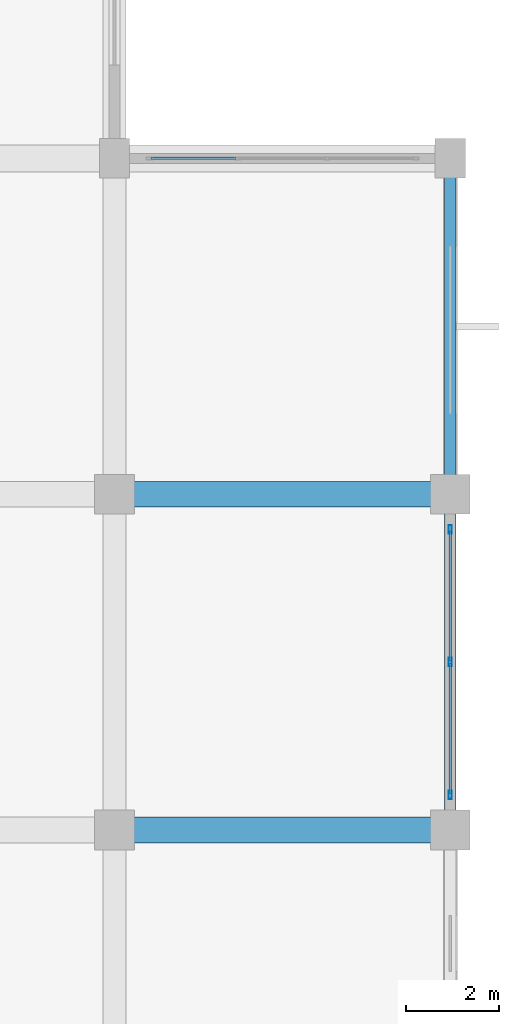
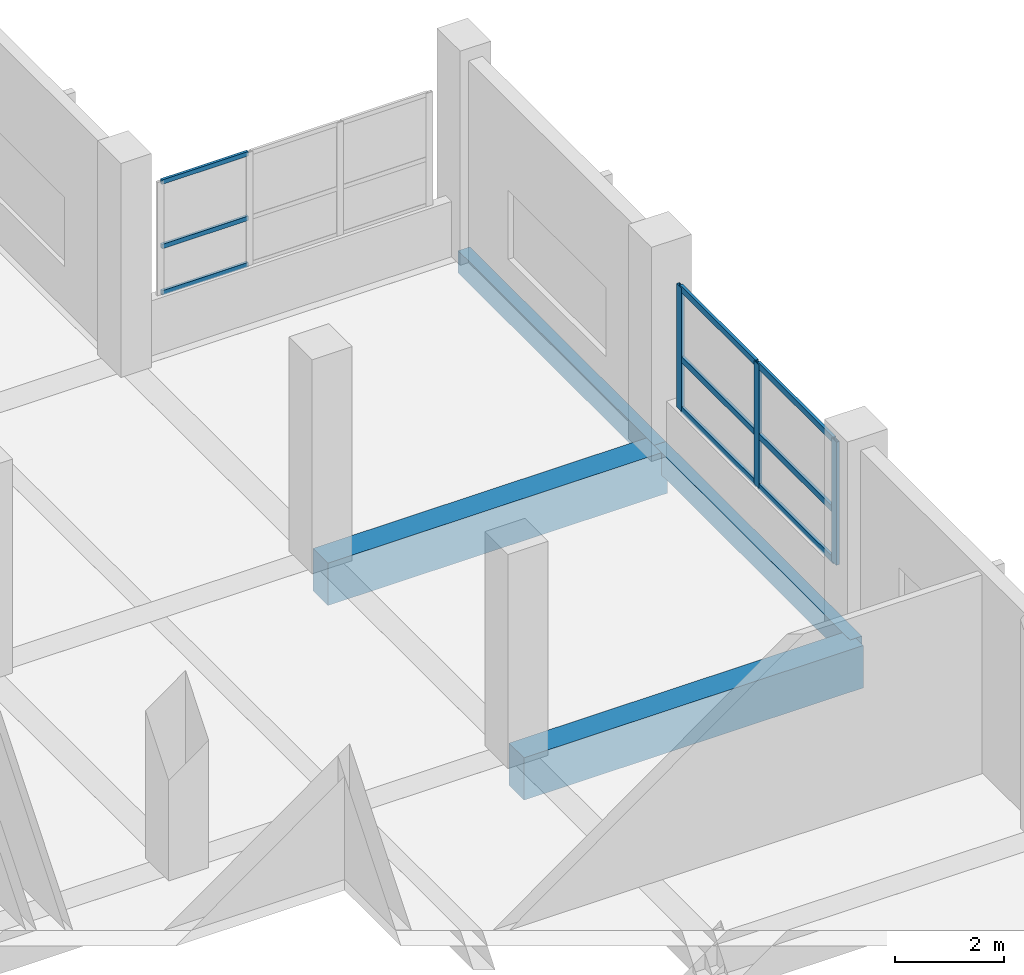
# One storey, part 136 of 181: 12 members, 4 beams, 2 elements without a shape of their own.
"""IFC4 building model written with IfcOpenShell, lengths in metres."""

from ifc_helpers import new_model, si_unit, direction, frame, origin, origin_2d, place, context, subcontext, project, spatial, rectangle, hollow_rectangle, extrude, material, layer, layer_set, material_profile, profile_set, type_object, element, aggregate, save


model = new_model("IFC4")

# Units and contexts
model_context = context("Model", 3, precision=1e-05, world=origin(), true_north=direction((0.0, 1.0)))
body_context = subcontext(model_context, "Body", "Model", "MODEL_VIEW")
ifc_project = project(units=[si_unit("LENGTHUNIT", "METRE"), si_unit("AREAUNIT", "SQUARE_METRE"), si_unit("VOLUMEUNIT", "CUBIC_METRE"), si_unit("PLANEANGLEUNIT", "RADIAN"), si_unit("MASSUNIT", "GRAM", prefix="KILO")], contexts=[model_context])

# Site, building, storey
site_placement = place(None, origin())
site = spatial("IfcSite", under=ifc_project, at=site_placement, CompositionType="ELEMENT")
building_placement = place(site_placement, origin())
building = spatial("IfcBuilding", under=site, at=building_placement, Name="Seraya Terrace Polytechnic", CompositionType="ELEMENT")
storey_placement = place(building_placement, frame((0.0, 0.0, 4.800048828125)))
storey = spatial("IfcBuildingStorey", under=building, at=storey_placement, Name="L01", CompositionType="ELEMENT", Elevation=4.800048828125)

# Beams
ifc_material_1 = material(Name="Concrete C40/50", Category="concrete")
ifc_material_profile_1 = material_profile(ifc_material_1, rectangle(XDim=0.550048828125, YDim=0.949951171875, at=origin_2d()), Name="RC 550x950")
ifc_profile_set_1 = profile_set([ifc_material_profile_1], Name="Concrete C40/50")
beam_type_1 = type_object("IfcBeamType", Name="BM-03", PredefinedType="BEAM", material=ifc_profile_set_1)
for number, where, z_axis, x_axis, name in (
    (1, (158.39990234375, 64.800048828125, -0.47509765625), (1.0, 0.0, 0.0), (0.0, 1.0, 0.0), "Beam BM-03 L01 X (158.4..165.6, 64.8)"),
    (2, (158.39990234375, 72.0, -0.47509765625), (1.0, 0.0, 0.0), (0.0, 1.0, 0.0), "Beam BM-03 L01 X (158.4..165.6, 72.0)"),
):
    element("IfcBeam", number, at=place(storey_placement, frame(where, z_axis=z_axis, x_axis=x_axis)), inside=storey, type_object=beam_type_1, Name=name, PredefinedType="BEAM", context=body_context, shape_type="SweptSolid", body=[
        extrude(rectangle(XDim=0.550048828125, YDim=0.949951171875, at=origin_2d()), origin(), (0.0, 0.0, 1.0), 7.2001953125),
    ])

# Curtain wall, members
ifc_material_2 = material(Name="Anodised aluminium EN AW-6063 T6", Category="aluminium")
ifc_layer_1 = layer(ifc_material_2, 0.179931640625, Name="CW-22")
ifc_layer_set_1 = layer_set([ifc_layer_1], Name="Anodised aluminium EN AW-6063 T6")
curtain_wall_type_1 = type_object("IfcCurtainWallType", Name="CW-22", PredefinedType="NOTDEFINED", material=ifc_layer_set_1)
curtain_wall_1_placement = place(storey_placement, origin())
curtain_wall_1 = element("IfcCurtainWall", 3, at=curtain_wall_1_placement, inside=storey, type_object=curtain_wall_type_1, Name="Unitised curtain wall CW-22 (CW-L01-022)", PredefinedType="NOTDEFINED")
ifc_material_profile_2 = material_profile(ifc_material_2, hollow_rectangle(XDim=0.06494140625, YDim=0.179931640625, WallThickness=0.00390625, at=origin_2d()), Name="RHS 180x65x4.0")
ifc_profile_set_2 = profile_set([ifc_material_profile_2], Name="Anodised aluminium EN AW-6063 T6")
member_type_1 = type_object("IfcMemberType", Name="CWM-01", PredefinedType="MULLION", material=ifc_profile_set_2)
member_1_placement = place(storey_placement, frame((165.60009765625, 71.24755859375, 1.239990234375), z_axis=(0.0, 0.0, 1.0), x_axis=(1.0, 0.0, 0.0)))
member_1 = element("IfcMember", 4, at=member_1_placement, type_object=member_type_1, Name="CW-22 mullion 1", PredefinedType="MULLION", context=body_context, shape_type="SweptSolid", body=[
    extrude(hollow_rectangle(XDim=0.06494140625, YDim=0.179931640625, WallThickness=0.00390625, at=origin_2d()), origin(), (0.0, 0.0, 1.0), 2.760009765625),
])
member_2_placement = place(storey_placement, frame((165.60009765625, 68.39990234375, 1.239990234375), z_axis=(0.0, 0.0, 1.0), x_axis=(1.0, 0.0, 0.0)))
member_2 = element("IfcMember", 5, at=member_2_placement, type_object=member_type_1, Name="CW-22 mullion 2", PredefinedType="MULLION", context=body_context, shape_type="SweptSolid", body=[
    extrude(hollow_rectangle(XDim=0.06494140625, YDim=0.179931640625, WallThickness=0.00390625, at=origin_2d()), origin(), (0.0, 0.0, 1.0), 2.760009765625),
])
member_3_placement = place(storey_placement, frame((165.60009765625, 65.552490234375, 1.239990234375), z_axis=(0.0, 0.0, 1.0), x_axis=(1.0, 0.0, 0.0)))
member_3 = element("IfcMember", 6, at=member_3_placement, type_object=member_type_1, Name="CW-22 mullion 3", PredefinedType="MULLION", context=body_context, shape_type="SweptSolid", body=[
    extrude(hollow_rectangle(XDim=0.06494140625, YDim=0.179931640625, WallThickness=0.00390625, at=origin_2d()), origin(), (0.0, 0.0, 1.0), 2.760009765625),
])
ifc_material_profile_3 = material_profile(ifc_material_2, hollow_rectangle(XDim=0.06005859375, YDim=0.139892578125, WallThickness=0.00341796875, at=origin_2d()), Name="RHS 140x60x3.5")
ifc_profile_set_3 = profile_set([ifc_material_profile_3], Name="Anodised aluminium EN AW-6063 T6")
member_type_2 = type_object("IfcMemberType", Name="CWT-01", PredefinedType="USERDEFINED", material=ifc_profile_set_3)
member_4_placement = place(storey_placement, frame((165.60009765625, 71.215087890625, 1.27001953125), z_axis=(0.0, -1.0, 0.0), x_axis=(1.0, 0.0, 0.0)))
member_4 = element("IfcMember", 7, at=member_4_placement, type_object=member_type_2, Name="CW-22 transom 1.1", ObjectType="TRANSOM", PredefinedType="USERDEFINED", context=body_context, shape_type="SweptSolid", body=[
    extrude(hollow_rectangle(XDim=0.06005859375, YDim=0.139892578125, WallThickness=0.00341796875, at=origin_2d()), origin(), (0.0, 0.0, 1.0), 2.782470703125),
])
member_5_placement = place(storey_placement, frame((165.60009765625, 71.215087890625, 2.399169921875), z_axis=(0.0, -1.0, 0.0), x_axis=(1.0, 0.0, 0.0)))
member_5 = element("IfcMember", 8, at=member_5_placement, type_object=member_type_2, Name="CW-22 transom 1.2", ObjectType="TRANSOM", PredefinedType="USERDEFINED", context=body_context, shape_type="SweptSolid", body=[
    extrude(hollow_rectangle(XDim=0.06005859375, YDim=0.139892578125, WallThickness=0.00341796875, at=origin_2d()), origin(), (0.0, 0.0, 1.0), 2.782470703125),
])
member_6_placement = place(storey_placement, frame((165.60009765625, 71.215087890625, 3.969970703125), z_axis=(0.0, -1.0, 0.0), x_axis=(1.0, 0.0, 0.0)))
member_6 = element("IfcMember", 9, at=member_6_placement, type_object=member_type_2, Name="CW-22 transom 1.3", ObjectType="TRANSOM", PredefinedType="USERDEFINED", context=body_context, shape_type="SweptSolid", body=[
    extrude(hollow_rectangle(XDim=0.06005859375, YDim=0.139892578125, WallThickness=0.00341796875, at=origin_2d()), origin(), (0.0, 0.0, 1.0), 2.782470703125),
])
member_7_placement = place(storey_placement, frame((165.60009765625, 68.367431640625, 1.27001953125), z_axis=(0.0, -1.0, 0.0), x_axis=(1.0, 0.0, 0.0)))
member_7 = element("IfcMember", 10, at=member_7_placement, type_object=member_type_2, Name="CW-22 transom 2.1", ObjectType="TRANSOM", PredefinedType="USERDEFINED", context=body_context, shape_type="SweptSolid", body=[
    extrude(hollow_rectangle(XDim=0.06005859375, YDim=0.139892578125, WallThickness=0.00341796875, at=origin_2d()), origin(), (0.0, 0.0, 1.0), 2.782470703125),
])
member_8_placement = place(storey_placement, frame((165.60009765625, 68.367431640625, 2.399169921875), z_axis=(0.0, -1.0, 0.0), x_axis=(1.0, 0.0, 0.0)))
member_8 = element("IfcMember", 11, at=member_8_placement, type_object=member_type_2, Name="CW-22 transom 2.2", ObjectType="TRANSOM", PredefinedType="USERDEFINED", context=body_context, shape_type="SweptSolid", body=[
    extrude(hollow_rectangle(XDim=0.06005859375, YDim=0.139892578125, WallThickness=0.00341796875, at=origin_2d()), origin(), (0.0, 0.0, 1.0), 2.782470703125),
])
member_9_placement = place(storey_placement, frame((165.60009765625, 68.367431640625, 3.969970703125), z_axis=(0.0, -1.0, 0.0), x_axis=(1.0, 0.0, 0.0)))
member_9 = element("IfcMember", 12, at=member_9_placement, type_object=member_type_2, Name="CW-22 transom 2.3", ObjectType="TRANSOM", PredefinedType="USERDEFINED", context=body_context, shape_type="SweptSolid", body=[
    extrude(hollow_rectangle(XDim=0.06005859375, YDim=0.139892578125, WallThickness=0.00341796875, at=origin_2d()), origin(), (0.0, 0.0, 1.0), 2.782470703125),
])
aggregate(curtain_wall_1, [member_1, member_2, member_3, member_4, member_5, member_6, member_7, member_8, member_9])

ifc_layer_2 = layer(ifc_material_2, 0.179931640625, Name="CW-21")
ifc_layer_set_2 = layer_set([ifc_layer_2], Name="Anodised aluminium EN AW-6063 T6")
curtain_wall_type_2 = type_object("IfcCurtainWallType", Name="CW-21", PredefinedType="NOTDEFINED", material=ifc_layer_set_2)
curtain_wall_2_placement = place(storey_placement, origin())
curtain_wall_2 = element("IfcCurtainWall", 13, at=curtain_wall_2_placement, inside=storey, type_object=curtain_wall_type_2, Name="Unitised curtain wall CW-21 (CW-L01-021)", PredefinedType="NOTDEFINED")
ifc_material_profile_4 = material_profile(ifc_material_2, hollow_rectangle(XDim=0.054931640625, YDim=0.10009765625, WallThickness=0.0029296875, at=origin_2d()), Name="RHS 100x55x3.0")
ifc_profile_set_4 = profile_set([ifc_material_profile_4], Name="Anodised aluminium EN AW-6063 T6")
member_type_3 = type_object("IfcMemberType", Name="CWT-03", PredefinedType="USERDEFINED", material=ifc_profile_set_4)
member_10_placement = place(storey_placement, frame((159.179931640625, 79.199951171875, 1.267333984375), z_axis=(1.0, 0.0, 0.0), x_axis=(0.0, 1.0, 0.0)))
member_10 = element("IfcMember", 14, at=member_10_placement, type_object=member_type_3, Name="CW-21 transom 1.1", ObjectType="TRANSOM", PredefinedType="USERDEFINED", context=body_context, shape_type="SweptSolid", body=[
    extrude(hollow_rectangle(XDim=0.054931640625, YDim=0.10009765625, WallThickness=0.0029296875, at=origin_2d()), origin(), (0.0, 0.0, 1.0), 1.830078125),
])
member_11_placement = place(storey_placement, frame((159.179931640625, 79.199951171875, 2.306640625), z_axis=(1.0, 0.0, 0.0), x_axis=(0.0, 1.0, 0.0)))
member_11 = element("IfcMember", 15, at=member_11_placement, type_object=member_type_3, Name="CW-21 transom 1.2", ObjectType="TRANSOM", PredefinedType="USERDEFINED", context=body_context, shape_type="SweptSolid", body=[
    extrude(hollow_rectangle(XDim=0.054931640625, YDim=0.10009765625, WallThickness=0.0029296875, at=origin_2d()), origin(), (0.0, 0.0, 1.0), 1.830078125),
])
member_12_placement = place(storey_placement, frame((159.179931640625, 79.199951171875, 3.75244140625), z_axis=(1.0, 0.0, 0.0), x_axis=(0.0, 1.0, 0.0)))
member_12 = element("IfcMember", 16, at=member_12_placement, type_object=member_type_3, Name="CW-21 transom 1.3", ObjectType="TRANSOM", PredefinedType="USERDEFINED", context=body_context, shape_type="SweptSolid", body=[
    extrude(hollow_rectangle(XDim=0.054931640625, YDim=0.10009765625, WallThickness=0.0029296875, at=origin_2d()), origin(), (0.0, 0.0, 1.0), 1.830078125),
])
aggregate(curtain_wall_2, [member_10, member_11, member_12])

# Beams
ifc_material_profile_5 = material_profile(ifc_material_1, rectangle(XDim=0.25, YDim=0.5, at=origin_2d()), Name="RC 250x500")
ifc_profile_set_5 = profile_set([ifc_material_profile_5], Name="Concrete C40/50")
beam_type_2 = type_object("IfcBeamType", Name="SP-03", PredefinedType="SPANDREL", material=ifc_profile_set_5)
for number, where, z_axis, x_axis, name in (
    (17, (165.60009765625, 64.800048828125, -0.25), (0.0, 1.0, 0.0), (-1.0, 0.0, 0.0), "Beam SP-03 L01 Y (165.6, 64.8..72.0)"),
    (18, (165.60009765625, 72.0, -0.25), (0.0, 1.0, 0.0), (-1.0, 0.0, 0.0), "Beam SP-03 L01 Y (165.6, 72.0..79.2)"),
):
    element("IfcBeam", number, at=place(storey_placement, frame(where, z_axis=z_axis, x_axis=x_axis)), inside=storey, type_object=beam_type_2, Name=name, PredefinedType="SPANDREL", context=body_context, shape_type="SweptSolid", body=[
        extrude(rectangle(XDim=0.25, YDim=0.5, at=origin_2d()), origin(), (0.0, 0.0, 1.0), 7.199951171875),
    ])

save(model, "model.ifc")
